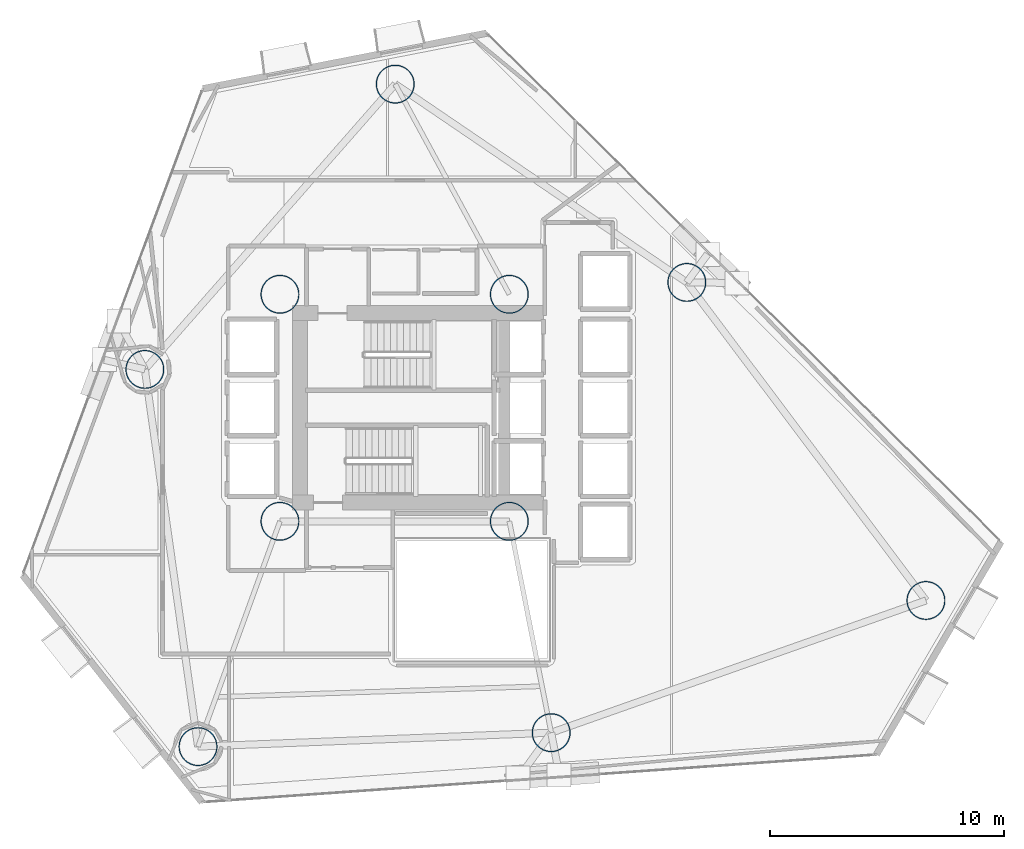
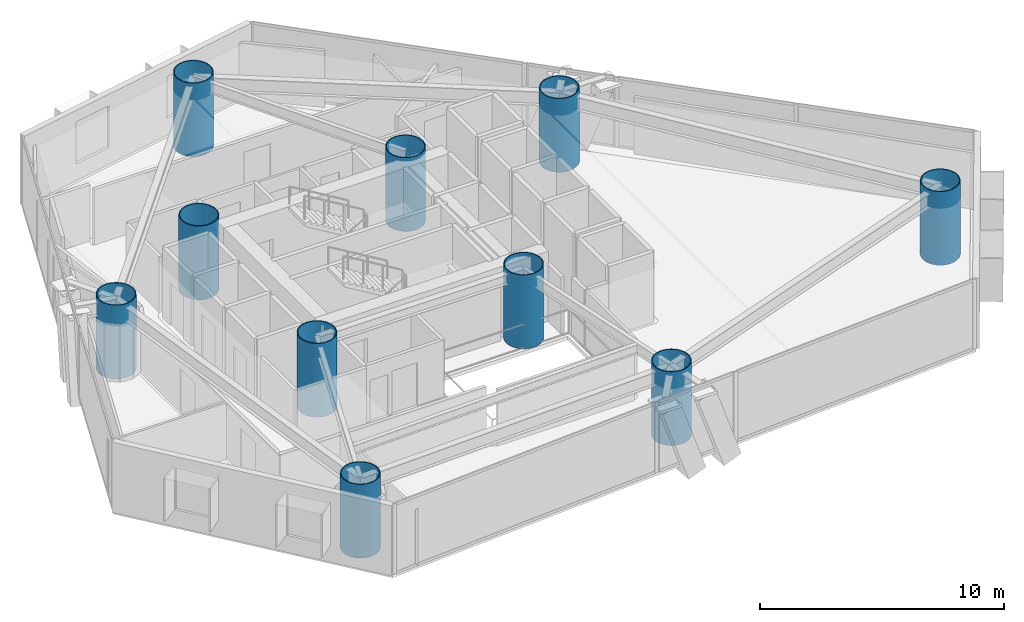
# One storey, part 1 of 24: 10 columns.
"""IFC4 building model written with IfcOpenShell, lengths in metres."""

import ifcopenshell
import ifcopenshell.guid

model = None  # the IFC model being written
_history = None  # IfcOwnerHistory: only IFC2X3 demands one
_inside = {}  # id of a spatial element -> (the spatial element, [elements in it])
_under = {}  # id of a project, library or spatial element -> (it, [spatial elements below it])
_declared = {}  # id of a project -> (the project, [libraries it declares])
_typed = {}  # id of a type object -> (the type object, [elements of that type])
_made_of = {}  # id of a material, layer set ... -> (it, [elements and type objects made of it])


def new_model(schema):
    """Start an empty IFC model of exactly this schema.

    Asked for "IFC4X3", IfcOpenShell would pick the latest addendum, in which some entities
    have other attributes; the version numbers below select the first issue.
    IFC2X3 requires an IfcOwnerHistory on every rooted entity: one is made here for all.
    """
    global model, _history
    if schema == "IFC4X3":
        model = ifcopenshell.file(schema_version=(4, 3, 0, 0))
    else:
        model = ifcopenshell.file(schema=schema)
    _inside.clear()
    _under.clear()
    _declared.clear()
    _typed.clear()
    _made_of.clear()
    _history = None
    if model.schema == "IFC2X3":
        org = make("IfcOrganization", Name="unknown")
        user = make(
            "IfcPersonAndOrganization",
            ThePerson=make("IfcPerson", FamilyName="unknown"),
            TheOrganization=org,
        )
        app = make(
            "IfcApplication",
            ApplicationDeveloper=org,
            Version="unknown",
            ApplicationFullName="unknown",
            ApplicationIdentifier="unknown",
        )
        _history = make(
            "IfcOwnerHistory",
            OwningUser=user,
            OwningApplication=app,
            ChangeAction="ADDED",
            CreationDate=0,
        )
    return model


def make(cls, **values):
    """One entity of the class cls with the attributes given. An attribute that is None is left unset."""
    return model.create_entity(
        cls, **{name: value for name, value in values.items() if value is not None}
    )


def rooted(cls, **values):
    """An entity with a GlobalId (a new one), such as an element, a storey or a relation."""
    return make(cls, GlobalId=ifcopenshell.guid.new(), OwnerHistory=_history, **values)


def si_unit(unit_type, name, prefix=None):
    """IfcSIUnit, for example si_unit("LENGTHUNIT", "METRE", prefix="MILLI")."""
    return make("IfcSIUnit", UnitType=unit_type, Prefix=prefix, Name=name)


def assignment(units):
    """IfcUnitAssignment: the units of a project."""
    return None if units is None else make("IfcUnitAssignment", Units=units)


def point(xyz):
    """IfcCartesianPoint."""
    return None if xyz is None else make("IfcCartesianPoint", Coordinates=xyz)


def direction(xyz):
    """IfcDirection."""
    return None if xyz is None else make("IfcDirection", DirectionRatios=xyz)


def frame(location, z_axis=None, x_axis=None):
    """IfcAxis2Placement3D, a coordinate frame: its origin and axes. An axis left out is left unset."""
    return make(
        "IfcAxis2Placement3D",
        Location=point(location),
        Axis=direction(z_axis),
        RefDirection=direction(x_axis),
    )


def frame_2d(location, x_axis=None):
    """IfcAxis2Placement2D, a coordinate frame in the plane: its origin and x axis."""
    return make(
        "IfcAxis2Placement2D", Location=point(location), RefDirection=direction(x_axis)
    )


def origin():
    """The frame at (0, 0, 0) with its axes left unset."""
    return frame((0.0, 0.0, 0.0))


def origin_2d():
    """The frame at (0, 0) in the plane with its x axis left unset."""
    return frame_2d((0.0, 0.0))


def place(relative_to, where):
    """IfcLocalPlacement: puts the frame where relative to a parent placement (None: the world)."""
    return make(
        "IfcLocalPlacement", PlacementRelTo=relative_to, RelativePlacement=where
    )


def context(
    kind, dimensions, precision=None, world=None, true_north=None, identifier=None
):
    """IfcGeometricRepresentationContext, for example the 3D "Model" context."""
    return make(
        "IfcGeometricRepresentationContext",
        ContextIdentifier=identifier,
        ContextType=kind,
        CoordinateSpaceDimension=dimensions,
        Precision=precision,
        WorldCoordinateSystem=world,
        TrueNorth=true_north,
    )


def subcontext(parent, identifier, kind, view, scale=None):
    """IfcGeometricRepresentationSubContext, for example "Body" below "Model"."""
    return make(
        "IfcGeometricRepresentationSubContext",
        ContextIdentifier=identifier,
        ContextType=kind,
        ParentContext=parent,
        TargetScale=scale,
        TargetView=view,
    )


def project(units=None, contexts=None):
    """IfcProject with its units and contexts."""
    return rooted(
        "IfcProject",
        Name="project",
        RepresentationContexts=contexts,
        UnitsInContext=assignment(units),
    )


def spatial(cls, under=None, at=None, **own):
    """A site, building, storey or space (cls), placed at a placement, below another one or the project."""
    s = rooted(cls, ObjectPlacement=at, **own)
    if under is not None:
        _under.setdefault(under.id(), (under, []))[1].append(s)
    return s


def profile(cls, at=None, kind="AREA", **sizes):
    """A parametric profile (cls). Its sizes go by their IFC names, for example OverallWidth=200.0."""
    return make(cls, ProfileType=kind, Position=at, **sizes)


def hollow_circle(**sizes):
    """IfcCircleHollowProfileDef."""
    return profile("IfcCircleHollowProfileDef", **sizes)


def extrude(swept, where, along, depth):
    """IfcExtrudedAreaSolid: the profile swept, set in the frame where, extruded along a direction by depth."""
    return make(
        "IfcExtrudedAreaSolid",
        SweptArea=swept,
        Position=where,
        ExtrudedDirection=direction(along),
        Depth=depth,
    )


def shape(context_of_items, identifier, shape_type, items):
    """IfcShapeRepresentation: the items that make up one representation, for example the "Body"."""
    return make(
        "IfcShapeRepresentation",
        ContextOfItems=context_of_items,
        RepresentationIdentifier=identifier,
        RepresentationType=shape_type,
        Items=items,
    )


def material(Name=None, Category=None):
    """IfcMaterial."""
    return make("IfcMaterial", Name=Name, Category=Category)


def material_profile(
    of_material, cross_section, Name=None, Category=None, Priority=None
):
    """IfcMaterialProfile: a cross section and its material."""
    return make(
        "IfcMaterialProfile",
        Name=Name,
        Material=of_material,
        Profile=cross_section,
        Priority=Priority,
        Category=Category,
    )


def profile_set(profiles, Name=None, composite=None):
    """IfcMaterialProfileSet."""
    return make(
        "IfcMaterialProfileSet",
        Name=Name,
        MaterialProfiles=profiles,
        CompositeProfile=composite,
    )


def made_of(thing, what):
    """Note that an element or type object is made of a material, layer set ...; save() writes the relation."""
    if what is not None:
        _made_of.setdefault(what.id(), (what, []))[1].append(thing)
    return thing


def type_object(cls, material=None, **own):
    """A type object (cls), such as IfcWallType, which elements share."""
    return made_of(rooted(cls, **own), material)


def element(
    cls,
    number,
    at=None,
    inside=None,
    cuts=None,
    type_object=None,
    material=None,
    context=None,
    identifier="Body",
    shape_type=None,
    held_by="IfcProductDefinitionShape",
    body=None,
    shapes=None,
    **own,
):
    """One element of the class cls, such as IfcWall. Its Tag is "e" and its number.

    at: its placement. inside: the storey or other place that contains it. cuts: it is an
    opening in that element (IfcRelVoidsElement). A single representation is given by context,
    identifier, shape_type and body (its items); several are given by shapes. held_by: the class
    of the entity that holds the representations. save() writes the other relations.
    """
    e = rooted(cls, Tag="e%d" % number, ObjectPlacement=at, **own)
    if body is not None:
        shapes = [shape(context, identifier, shape_type, body)]
    if shapes is not None:
        e.Representation = make(held_by, Representations=shapes)
    if inside is not None:
        _inside.setdefault(inside.id(), (inside, []))[1].append(e)
    if cuts is not None:
        rooted(
            "IfcRelVoidsElement", RelatingBuildingElement=cuts, RelatedOpeningElement=e
        )
    if type_object is not None:
        _typed.setdefault(type_object.id(), (type_object, []))[1].append(e)
    return made_of(e, material)


def aggregate(whole, parts):
    """IfcRelAggregates: a whole, such as a stair, and the parts it consists of."""
    return rooted("IfcRelAggregates", RelatingObject=whole, RelatedObjects=parts)


def save(model, path):
    """Write the relations noted so far, then the file.

    IfcRelAggregates (storeys below a building ...), IfcRelContainedInSpatialStructure (elements
    in a storey), IfcRelDefinesByType, IfcRelAssociatesMaterial and IfcRelDeclares: one each for
    every whole, place, type object, material and project.
    """
    for whole, parts in _under.values():
        aggregate(whole, parts)
    for where, things in _inside.values():
        rooted(
            "IfcRelContainedInSpatialStructure",
            RelatedElements=things,
            RelatingStructure=where,
        )
    for kind, things in _typed.values():
        rooted("IfcRelDefinesByType", RelatedObjects=things, RelatingType=kind)
    for what, things in _made_of.values():
        rooted("IfcRelAssociatesMaterial", RelatedObjects=things, RelatingMaterial=what)
    for by, libraries in _declared.values():
        rooted("IfcRelDeclares", RelatingContext=by, RelatedDefinitions=libraries)
    model.write(path)


model = new_model("IFC4")

# Units and contexts
model_context = context("Model", 3, precision=1e-05, world=origin(), true_north=direction((0.0, 1.0)))
body_context = subcontext(model_context, "Body", "Model", "MODEL_VIEW")
ifc_project = project(units=[si_unit("LENGTHUNIT", "METRE"), si_unit("AREAUNIT", "SQUARE_METRE"), si_unit("VOLUMEUNIT", "CUBIC_METRE"), si_unit("PLANEANGLEUNIT", "RADIAN"), si_unit("MASSUNIT", "GRAM", prefix="KILO")], contexts=[model_context])

# Site, building, storey
site_placement = place(None, origin())
site = spatial("IfcSite", under=ifc_project, at=site_placement, CompositionType="ELEMENT")
building_placement = place(site_placement, origin())
building = spatial("IfcBuilding", under=site, at=building_placement, Name="Qianvela Tower", CompositionType="ELEMENT")
storey_placement = place(building_placement, frame((0.0, 0.0, 59.89990234375)))
storey = spatial("IfcBuildingStorey", under=building, at=storey_placement, Name="L14", CompositionType="ELEMENT", Elevation=59.89990234375)

# Columns
ifc_material = material(Name="Steel Q420GJC", Category="steel")
ifc_material_profile = material_profile(ifc_material, hollow_circle(Radius=0.824951171875, WallThickness=0.0400390625, at=origin_2d()), Name="CFT-1650x40")
ifc_profile_set = profile_set([ifc_material_profile], Name="Steel Q420GJC")
column_type = type_object("IfcColumnType", Name="COL-CFT-1650x40", PredefinedType="COLUMN", material=ifc_profile_set)
for number, where, z_axis, x_axis, name in (
    (1, (28.60009765625, 33.550048828125, 0.0), (0.0, 0.0, 1.0), (1.0, 0.0, 0.0), "L14 Core Corner Mega-Column CC-NW"),
    (2, (28.60009765625, 23.85009765625, 0.0), (0.0, 0.0, 1.0), (1.0, 0.0, 0.0), "L14 Core Corner Mega-Column CC-SW"),
    (3, (38.39990234375, 33.550048828125, 0.0), (0.0, 0.0, 1.0), (1.0, 0.0, 0.0), "L14 Core Corner Mega-Column CC-NE"),
    (4, (38.39990234375, 23.85009765625, 0.0), (0.0, 0.0, 1.0), (1.0, 0.0, 0.0), "L14 Core Corner Mega-Column CC-SE"),
    (5, (56.198974609375, 20.468017578125, 0.0), (0.0, 0.0, 1.0), (1.0, 0.0, 0.0), "L14 Zone Z2 CFT Mega-Column C1"),
    (6, (45.98388671875, 34.056884765625, 0.0), (0.0, 0.0, 1.0), (1.0, 0.0, 0.0), "L14 Zone Z2 CFT Mega-Column C2"),
    (7, (33.52587890625, 42.529052734375, 0.0), (0.0, 0.0, 1.0), (1.0, 0.0, 0.0), "L14 Zone Z2 CFT Mega-Column C3"),
    (8, (22.8291015625, 30.340087890625, 0.0), (0.0, 0.0, 1.0), (1.0, 0.0, 0.0), "L14 Zone Z2 CFT Mega-Column C4"),
    (9, (25.10009765625, 14.22509765625, 0.0), (0.0, 0.0, 1.0), (1.0, 0.0, 0.0), "L14 Zone Z2 CFT Mega-Column C5"),
    (10, (40.18896484375, 14.819091796875, 0.0), (0.0, 0.0, 1.0), (1.0, 0.0, 0.0), "L14 Zone Z2 CFT Mega-Column C6"),
):
    element("IfcColumn", number, at=place(storey_placement, frame(where, z_axis=z_axis, x_axis=x_axis)), inside=storey, type_object=column_type, Name=name, PredefinedType="COLUMN", context=body_context, shape_type="SweptSolid", body=[
        extrude(hollow_circle(Radius=0.824951171875, WallThickness=0.0400390625, at=origin_2d()), origin(), (0.0, 0.0, 1.0), 3.7001953125),
    ])

save(model, "model.ifc")
